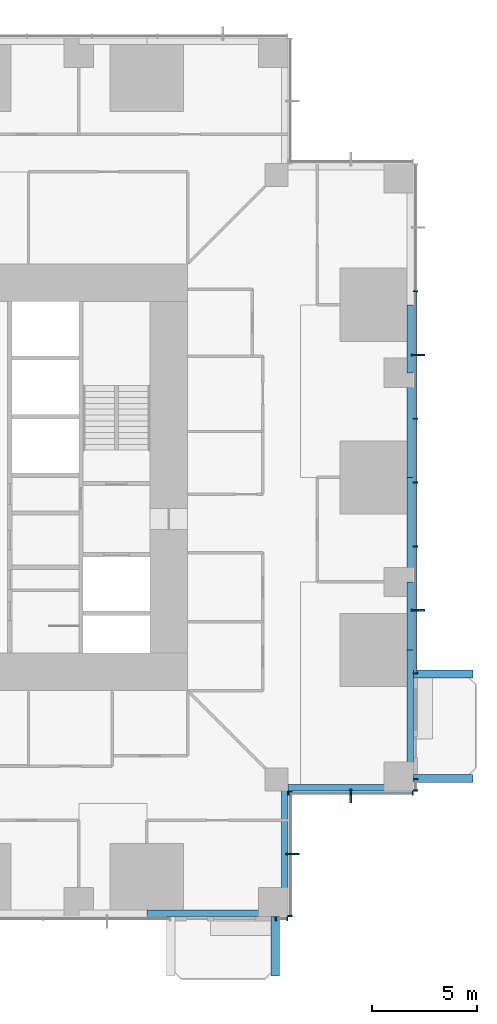
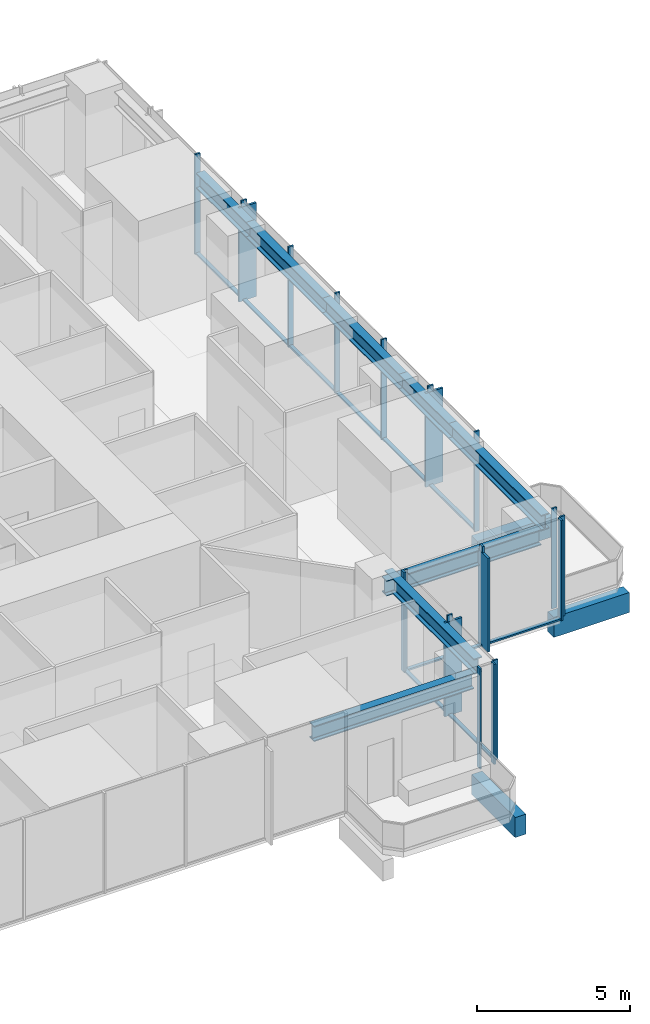
# One storey, part 4 of 16: 31 members, 11 beams, 5 elements without a shape of their own.
"""IFC4 building model written with IfcOpenShell, lengths in metres."""

from ifc_helpers import new_model, si_unit, direction, frame, origin, origin_2d, place, context, subcontext, project, spatial, rectangle, i_section, extrude, material, material_profile, profile_set, type_object, element, aggregate, save


model = new_model("IFC4")

# Units and contexts
model_context = context("Model", 3, precision=1e-05, world=origin(), true_north=direction((0.0, 1.0)))
body_context = subcontext(model_context, "Body", "Model", "MODEL_VIEW")
ifc_project = project(units=[si_unit("LENGTHUNIT", "METRE"), si_unit("AREAUNIT", "SQUARE_METRE"), si_unit("VOLUMEUNIT", "CUBIC_METRE"), si_unit("PLANEANGLEUNIT", "RADIAN"), si_unit("MASSUNIT", "GRAM", prefix="KILO")], contexts=[model_context])

# Site, building, storey
site_placement = place(None, origin())
site = spatial("IfcSite", under=ifc_project, at=site_placement, CompositionType="ELEMENT")
building_placement = place(site_placement, origin())
building = spatial("IfcBuilding", under=site, at=building_placement, Name="Svetlomir Tower", CompositionType="ELEMENT")
storey_placement = place(building_placement, frame((0.0, 0.0, 58.5)))
storey = spatial("IfcBuildingStorey", under=building, at=storey_placement, Name="L13", CompositionType="ELEMENT", Elevation=58.5)

# Beams
ifc_material_1 = material(Name="Concrete C60/75", Category="concrete")
ifc_material_profile_1 = material_profile(ifc_material_1, rectangle(XDim=0.39990234375, YDim=0.800048828125, at=origin_2d()), Name="RC 400x800")
ifc_profile_set_1 = profile_set([ifc_material_profile_1], Name="Concrete C60/75")
beam_type_1 = type_object("IfcBeamType", Name="BALCONY RIB RC 400x800", PredefinedType="BEAM", material=ifc_profile_set_1)
for number, where, z_axis, x_axis, name in (
    (1, (35.39990234375, 0.0, -0.64990234375), (0.0, -1.0, 0.0), (1.0, 0.0, 0.0), "Balcony rib S 2 L13"),
    (2, (42.0, 6.60009765625, -0.64990234375), (1.0, 0.0, 0.0), (0.0, 1.0, 0.0), "Balcony rib E 1 L13"),
    (3, (42.0, 11.60009765625, -0.64990234375), (1.0, 0.0, 0.0), (0.0, 1.0, 0.0), "Balcony rib E 2 L13"),
):
    element("IfcBeam", number, at=place(storey_placement, frame(where, z_axis=z_axis, x_axis=x_axis)), inside=storey, type_object=beam_type_1, Name=name, PredefinedType="BEAM", context=body_context, shape_type="SweptSolid", body=[
        extrude(rectangle(XDim=0.39990234375, YDim=0.800048828125, at=origin_2d()), origin(), (0.0, 0.0, 1.0), 2.85009765625),
    ])

# Curtain wall, member
ifc_material_2 = material(Name="Bronze anodised aluminium curtain wall", Category="aluminium")
curtain_wall_type = type_object("IfcCurtainWallType", Name="CURTAIN WALL CW1 TOWER OFFICE", PredefinedType="NOTDEFINED", material=ifc_material_2)
curtain_wall_1_placement = place(storey_placement, origin())
curtain_wall_1 = element("IfcCurtainWall", 4, at=curtain_wall_1_placement, inside=storey, type_object=curtain_wall_type, Name="Curtain wall CW1 L13", PredefinedType="NOTDEFINED")
ifc_material_3 = material(Name="Bronze anodised aluminium", Category="aluminium")
ifc_material_profile_2 = material_profile(ifc_material_3, rectangle(XDim=0.080078125, YDim=0.64990234375, at=origin_2d()), Name="FIN 80x650")
ifc_profile_set_2 = profile_set([ifc_material_profile_2], Name="Bronze anodised aluminium 6063-T6")
member_type_1 = type_object("IfcMemberType", Name="BRONZE FIN 80x650", PredefinedType="USERDEFINED", material=ifc_profile_set_2)
member_1_placement = place(storey_placement, frame((36.22509765625, 3.0, 0.0), z_axis=(0.0, 0.0, 1.0), x_axis=(0.0, 1.0, 0.0)))
member_1 = element("IfcMember", 5, at=member_1_placement, type_object=member_type_1, Name="Bronze fin L13", ObjectType="FIN", PredefinedType="USERDEFINED", context=body_context, shape_type="SweptSolid", body=[
    extrude(rectangle(XDim=0.080078125, YDim=0.64990234375, at=origin_2d()), origin(), (0.0, 0.0, 1.0), 3.75),
])

curtain_wall_2_placement = place(storey_placement, origin())
curtain_wall_2 = element("IfcCurtainWall", 6, at=curtain_wall_2_placement, inside=storey, type_object=curtain_wall_type, Name="Curtain wall CW1 L13", PredefinedType="NOTDEFINED")
member_2_placement = place(storey_placement, frame((39.0, 5.77490234375, 0.0), z_axis=(0.0, 0.0, 1.0), x_axis=(1.0, 0.0, 0.0)))
member_2 = element("IfcMember", 7, at=member_2_placement, type_object=member_type_1, Name="Bronze fin L13", ObjectType="FIN", PredefinedType="USERDEFINED", context=body_context, shape_type="SweptSolid", body=[
    extrude(rectangle(XDim=0.080078125, YDim=0.64990234375, at=origin_2d()), origin(), (0.0, 0.0, 1.0), 3.75),
])

# Curtain wall, members
curtain_wall_3_placement = place(storey_placement, origin())
curtain_wall_3 = element("IfcCurtainWall", 8, at=curtain_wall_3_placement, inside=storey, type_object=curtain_wall_type, Name="Curtain wall CW1 L13", PredefinedType="NOTDEFINED")
member_3_placement = place(storey_placement, frame((42.22509765625, 14.64990234375, 0.0), z_axis=(0.0, 0.0, 1.0), x_axis=(0.0, 1.0, 0.0)))
member_3 = element("IfcMember", 9, at=member_3_placement, type_object=member_type_1, Name="Bronze fin L13", ObjectType="FIN", PredefinedType="USERDEFINED", context=body_context, shape_type="SweptSolid", body=[
    extrude(rectangle(XDim=0.080078125, YDim=0.64990234375, at=origin_2d()), origin(), (0.0, 0.0, 1.0), 3.75),
])
member_4_placement = place(storey_placement, frame((42.22509765625, 26.85009765625, 0.0), z_axis=(0.0, 0.0, 1.0), x_axis=(0.0, 1.0, 0.0)))
member_4 = element("IfcMember", 10, at=member_4_placement, type_object=member_type_1, Name="Bronze fin L13", ObjectType="FIN", PredefinedType="USERDEFINED", context=body_context, shape_type="SweptSolid", body=[
    extrude(rectangle(XDim=0.080078125, YDim=0.64990234375, at=origin_2d()), origin(), (0.0, 0.0, 1.0), 3.75),
])

curtain_wall_4_placement = place(storey_placement, origin())
curtain_wall_4 = element("IfcCurtainWall", 11, at=curtain_wall_4_placement, inside=storey, type_object=curtain_wall_type, Name="Curtain wall CW1 L13", PredefinedType="NOTDEFINED")
ifc_material_4 = material(Name="Bronze anodised aluminium", Category="aluminium")
ifc_material_profile_3 = material_profile(ifc_material_4, rectangle(XDim=0.06494140625, YDim=0.199951171875, at=origin_2d()), Name="AL 65x200")
ifc_profile_set_3 = profile_set([ifc_material_profile_3], Name="Bronze anodised aluminium 6063-T6")
member_type_2 = type_object("IfcMemberType", Name="CW1 MULLION 65x200", PredefinedType="MULLION", material=ifc_profile_set_3)
member_5_placement = place(storey_placement, frame((35.4326171875, -0.10009765625, 0.0), z_axis=(0.0, 0.0, 1.0), x_axis=(1.0, 0.0, 0.0)))
member_5 = element("IfcMember", 12, at=member_5_placement, type_object=member_type_2, Name="CW1 mullion 1", PredefinedType="MULLION", context=body_context, shape_type="SweptSolid", body=[
    extrude(rectangle(XDim=0.06494140625, YDim=0.199951171875, at=origin_2d()), origin(), (0.0, 0.0, 1.0), 4.0),
])
member_6_placement = place(storey_placement, frame((35.967529296875, -0.10009765625, 0.0), z_axis=(0.0, 0.0, 1.0), x_axis=(1.0, 0.0, 0.0)))
member_6 = element("IfcMember", 13, at=member_6_placement, type_object=member_type_2, Name="CW1 mullion 2", PredefinedType="MULLION", context=body_context, shape_type="SweptSolid", body=[
    extrude(rectangle(XDim=0.06494140625, YDim=0.199951171875, at=origin_2d()), origin(), (0.0, 0.0, 1.0), 4.0),
])
aggregate(curtain_wall_4, [member_5, member_6])

# Member
member_7_placement = place(storey_placement, frame((36.10009765625, 0.032470703125, 0.0), z_axis=(0.0, 0.0, 1.0), x_axis=(0.0, 1.0, 0.0)))
member_7 = element("IfcMember", 14, at=member_7_placement, type_object=member_type_2, Name="CW1 mullion 1", PredefinedType="MULLION", context=body_context, shape_type="SweptSolid", body=[
    extrude(rectangle(XDim=0.06494140625, YDim=0.199951171875, at=origin_2d()), origin(), (0.0, 0.0, 1.0), 4.0),
])

member_8_placement = place(storey_placement, frame((36.10009765625, 3.0, 0.0), z_axis=(0.0, 0.0, 1.0), x_axis=(0.0, 1.0, 0.0)))
member_8 = element("IfcMember", 15, at=member_8_placement, type_object=member_type_2, Name="CW1 mullion 2", PredefinedType="MULLION", context=body_context, shape_type="SweptSolid", body=[
    extrude(rectangle(XDim=0.06494140625, YDim=0.199951171875, at=origin_2d()), origin(), (0.0, 0.0, 1.0), 4.0),
])

member_9_placement = place(storey_placement, frame((36.10009765625, 5.967529296875, 0.0), z_axis=(0.0, 0.0, 1.0), x_axis=(0.0, 1.0, 0.0)))
member_9 = element("IfcMember", 16, at=member_9_placement, type_object=member_type_2, Name="CW1 mullion 3", PredefinedType="MULLION", context=body_context, shape_type="SweptSolid", body=[
    extrude(rectangle(XDim=0.06494140625, YDim=0.199951171875, at=origin_2d()), origin(), (0.0, 0.0, 1.0), 4.0),
])

member_10_placement = place(storey_placement, frame((36.032470703125, 5.89990234375, 0.0), z_axis=(0.0, 0.0, 1.0), x_axis=(1.0, 0.0, 0.0)))
member_10 = element("IfcMember", 17, at=member_10_placement, type_object=member_type_2, Name="CW1 mullion 1", PredefinedType="MULLION", context=body_context, shape_type="SweptSolid", body=[
    extrude(rectangle(XDim=0.06494140625, YDim=0.199951171875, at=origin_2d()), origin(), (0.0, 0.0, 1.0), 4.0),
])

member_11_placement = place(storey_placement, frame((39.0, 5.89990234375, 0.0), z_axis=(0.0, 0.0, 1.0), x_axis=(1.0, 0.0, 0.0)))
member_11 = element("IfcMember", 18, at=member_11_placement, type_object=member_type_2, Name="CW1 mullion 2", PredefinedType="MULLION", context=body_context, shape_type="SweptSolid", body=[
    extrude(rectangle(XDim=0.06494140625, YDim=0.199951171875, at=origin_2d()), origin(), (0.0, 0.0, 1.0), 4.0),
])

member_12_placement = place(storey_placement, frame((41.967529296875, 5.89990234375, 0.0), z_axis=(0.0, 0.0, 1.0), x_axis=(1.0, 0.0, 0.0)))
member_12 = element("IfcMember", 19, at=member_12_placement, type_object=member_type_2, Name="CW1 mullion 3", PredefinedType="MULLION", context=body_context, shape_type="SweptSolid", body=[
    extrude(rectangle(XDim=0.06494140625, YDim=0.199951171875, at=origin_2d()), origin(), (0.0, 0.0, 1.0), 4.0),
])

# Curtain wall, members
curtain_wall_5_placement = place(storey_placement, origin())
curtain_wall_5 = element("IfcCurtainWall", 20, at=curtain_wall_5_placement, inside=storey, type_object=curtain_wall_type, Name="Curtain wall CW1 L13", PredefinedType="NOTDEFINED")
member_13_placement = place(storey_placement, frame((42.10009765625, 6.032470703125, 0.0), z_axis=(0.0, 0.0, 1.0), x_axis=(0.0, 1.0, 0.0)))
member_13 = element("IfcMember", 21, at=member_13_placement, type_object=member_type_2, Name="CW1 mullion 1", PredefinedType="MULLION", context=body_context, shape_type="SweptSolid", body=[
    extrude(rectangle(XDim=0.06494140625, YDim=0.199951171875, at=origin_2d()), origin(), (0.0, 0.0, 1.0), 4.0),
])
member_14_placement = place(storey_placement, frame((42.10009765625, 6.5673828125, 0.0), z_axis=(0.0, 0.0, 1.0), x_axis=(0.0, 1.0, 0.0)))
member_14 = element("IfcMember", 22, at=member_14_placement, type_object=member_type_2, Name="CW1 mullion 2", PredefinedType="MULLION", context=body_context, shape_type="SweptSolid", body=[
    extrude(rectangle(XDim=0.06494140625, YDim=0.199951171875, at=origin_2d()), origin(), (0.0, 0.0, 1.0), 4.0),
])
aggregate(curtain_wall_5, [member_13, member_14])

# Member
member_15_placement = place(storey_placement, frame((42.10009765625, 11.632568359375, 0.0), z_axis=(0.0, 0.0, 1.0), x_axis=(0.0, 1.0, 0.0)))
member_15 = element("IfcMember", 23, at=member_15_placement, type_object=member_type_2, Name="CW1 mullion 1", PredefinedType="MULLION", context=body_context, shape_type="SweptSolid", body=[
    extrude(rectangle(XDim=0.06494140625, YDim=0.199951171875, at=origin_2d()), origin(), (0.0, 0.0, 1.0), 4.0),
])

member_16_placement = place(storey_placement, frame((42.10009765625, 14.64990234375, 0.0), z_axis=(0.0, 0.0, 1.0), x_axis=(0.0, 1.0, 0.0)))
member_16 = element("IfcMember", 24, at=member_16_placement, type_object=member_type_2, Name="CW1 mullion 2", PredefinedType="MULLION", context=body_context, shape_type="SweptSolid", body=[
    extrude(rectangle(XDim=0.06494140625, YDim=0.199951171875, at=origin_2d()), origin(), (0.0, 0.0, 1.0), 4.0),
])

member_17_placement = place(storey_placement, frame((42.10009765625, 17.699951171875, 0.0), z_axis=(0.0, 0.0, 1.0), x_axis=(0.0, 1.0, 0.0)))
member_17 = element("IfcMember", 25, at=member_17_placement, type_object=member_type_2, Name="CW1 mullion 3", PredefinedType="MULLION", context=body_context, shape_type="SweptSolid", body=[
    extrude(rectangle(XDim=0.06494140625, YDim=0.199951171875, at=origin_2d()), origin(), (0.0, 0.0, 1.0), 4.0),
])

member_18_placement = place(storey_placement, frame((42.10009765625, 20.75, 0.0), z_axis=(0.0, 0.0, 1.0), x_axis=(0.0, 1.0, 0.0)))
member_18 = element("IfcMember", 26, at=member_18_placement, type_object=member_type_2, Name="CW1 mullion 4", PredefinedType="MULLION", context=body_context, shape_type="SweptSolid", body=[
    extrude(rectangle(XDim=0.06494140625, YDim=0.199951171875, at=origin_2d()), origin(), (0.0, 0.0, 1.0), 4.0),
])

member_19_placement = place(storey_placement, frame((42.10009765625, 23.800048828125, 0.0), z_axis=(0.0, 0.0, 1.0), x_axis=(0.0, 1.0, 0.0)))
member_19 = element("IfcMember", 27, at=member_19_placement, type_object=member_type_2, Name="CW1 mullion 5", PredefinedType="MULLION", context=body_context, shape_type="SweptSolid", body=[
    extrude(rectangle(XDim=0.06494140625, YDim=0.199951171875, at=origin_2d()), origin(), (0.0, 0.0, 1.0), 4.0),
])

member_20_placement = place(storey_placement, frame((42.10009765625, 26.85009765625, 0.0), z_axis=(0.0, 0.0, 1.0), x_axis=(0.0, 1.0, 0.0)))
member_20 = element("IfcMember", 28, at=member_20_placement, type_object=member_type_2, Name="CW1 mullion 6", PredefinedType="MULLION", context=body_context, shape_type="SweptSolid", body=[
    extrude(rectangle(XDim=0.06494140625, YDim=0.199951171875, at=origin_2d()), origin(), (0.0, 0.0, 1.0), 4.0),
])

member_21_placement = place(storey_placement, frame((42.10009765625, 29.89990234375, 0.0), z_axis=(0.0, 0.0, 1.0), x_axis=(0.0, 1.0, 0.0)))
member_21 = element("IfcMember", 29, at=member_21_placement, type_object=member_type_2, Name="CW1 mullion 7", PredefinedType="MULLION", context=body_context, shape_type="SweptSolid", body=[
    extrude(rectangle(XDim=0.06494140625, YDim=0.199951171875, at=origin_2d()), origin(), (0.0, 0.0, 1.0), 4.0),
])

ifc_material_5 = material(Name="Bronze anodised aluminium", Category="aluminium")
ifc_material_profile_4 = material_profile(ifc_material_5, rectangle(XDim=0.139892578125, YDim=0.06494140625, at=origin_2d()), Name="AL 140x65")
ifc_profile_set_4 = profile_set([ifc_material_profile_4], Name="Bronze anodised aluminium 6063-T6")
member_type_3 = type_object("IfcMemberType", Name="CW1 TRANSOM 65x140", PredefinedType="USERDEFINED", material=ifc_profile_set_4)
member_22_placement = place(storey_placement, frame((36.10009765625, 0.06494140625, 0.032470703125), z_axis=(0.0, 1.0, 0.0), x_axis=(-1.0, 0.0, 0.0)))
member_22 = element("IfcMember", 30, at=member_22_placement, type_object=member_type_3, Name="CW1 transom 1.1", ObjectType="TRANSOM", PredefinedType="USERDEFINED", context=body_context, shape_type="SweptSolid", body=[
    extrude(rectangle(XDim=0.139892578125, YDim=0.06494140625, at=origin_2d()), origin(), (0.0, 0.0, 1.0), 2.902587890625),
])

member_23_placement = place(storey_placement, frame((36.10009765625, 3.032470703125, 0.032470703125), z_axis=(0.0, 1.0, 0.0), x_axis=(-1.0, 0.0, 0.0)))
member_23 = element("IfcMember", 31, at=member_23_placement, type_object=member_type_3, Name="CW1 transom 2.1", ObjectType="TRANSOM", PredefinedType="USERDEFINED", context=body_context, shape_type="SweptSolid", body=[
    extrude(rectangle(XDim=0.139892578125, YDim=0.06494140625, at=origin_2d()), origin(), (0.0, 0.0, 1.0), 2.902587890625),
])

aggregate(curtain_wall_1, [member_7, member_8, member_9, member_22, member_23, member_1])

member_24_placement = place(storey_placement, frame((36.06494140625, 5.89990234375, 0.032470703125), z_axis=(1.0, 0.0, 0.0), x_axis=(0.0, 1.0, 0.0)))
member_24 = element("IfcMember", 32, at=member_24_placement, type_object=member_type_3, Name="CW1 transom 1.1", ObjectType="TRANSOM", PredefinedType="USERDEFINED", context=body_context, shape_type="SweptSolid", body=[
    extrude(rectangle(XDim=0.139892578125, YDim=0.06494140625, at=origin_2d()), origin(), (0.0, 0.0, 1.0), 2.902587890625),
])

member_25_placement = place(storey_placement, frame((39.032470703125, 5.89990234375, 0.032470703125), z_axis=(1.0, 0.0, 0.0), x_axis=(0.0, 1.0, 0.0)))
member_25 = element("IfcMember", 33, at=member_25_placement, type_object=member_type_3, Name="CW1 transom 2.1", ObjectType="TRANSOM", PredefinedType="USERDEFINED", context=body_context, shape_type="SweptSolid", body=[
    extrude(rectangle(XDim=0.139892578125, YDim=0.06494140625, at=origin_2d()), origin(), (0.0, 0.0, 1.0), 2.902587890625),
])

aggregate(curtain_wall_2, [member_10, member_11, member_12, member_24, member_25, member_2])

member_26_placement = place(storey_placement, frame((42.10009765625, 11.6650390625, 0.032470703125), z_axis=(0.0, 1.0, 0.0), x_axis=(-1.0, 0.0, 0.0)))
member_26 = element("IfcMember", 34, at=member_26_placement, type_object=member_type_3, Name="CW1 transom 1.1", ObjectType="TRANSOM", PredefinedType="USERDEFINED", context=body_context, shape_type="SweptSolid", body=[
    extrude(rectangle(XDim=0.139892578125, YDim=0.06494140625, at=origin_2d()), origin(), (0.0, 0.0, 1.0), 2.952392578125),
])

member_27_placement = place(storey_placement, frame((42.10009765625, 14.6826171875, 0.032470703125), z_axis=(0.0, 1.0, 0.0), x_axis=(-1.0, 0.0, 0.0)))
member_27 = element("IfcMember", 35, at=member_27_placement, type_object=member_type_3, Name="CW1 transom 2.1", ObjectType="TRANSOM", PredefinedType="USERDEFINED", context=body_context, shape_type="SweptSolid", body=[
    extrude(rectangle(XDim=0.139892578125, YDim=0.06494140625, at=origin_2d()), origin(), (0.0, 0.0, 1.0), 2.98486328125),
])

member_28_placement = place(storey_placement, frame((42.10009765625, 17.732421875, 0.032470703125), z_axis=(0.0, 1.0, 0.0), x_axis=(-1.0, 0.0, 0.0)))
member_28 = element("IfcMember", 36, at=member_28_placement, type_object=member_type_3, Name="CW1 transom 3.1", ObjectType="TRANSOM", PredefinedType="USERDEFINED", context=body_context, shape_type="SweptSolid", body=[
    extrude(rectangle(XDim=0.139892578125, YDim=0.06494140625, at=origin_2d()), origin(), (0.0, 0.0, 1.0), 2.985107421875),
])

member_29_placement = place(storey_placement, frame((42.10009765625, 20.782470703125, 0.032470703125), z_axis=(0.0, 1.0, 0.0), x_axis=(-1.0, 0.0, 0.0)))
member_29 = element("IfcMember", 37, at=member_29_placement, type_object=member_type_3, Name="CW1 transom 4.1", ObjectType="TRANSOM", PredefinedType="USERDEFINED", context=body_context, shape_type="SweptSolid", body=[
    extrude(rectangle(XDim=0.139892578125, YDim=0.06494140625, at=origin_2d()), origin(), (0.0, 0.0, 1.0), 2.985107421875),
])

member_30_placement = place(storey_placement, frame((42.10009765625, 23.83251953125, 0.032470703125), z_axis=(0.0, 1.0, 0.0), x_axis=(-1.0, 0.0, 0.0)))
member_30 = element("IfcMember", 38, at=member_30_placement, type_object=member_type_3, Name="CW1 transom 5.1", ObjectType="TRANSOM", PredefinedType="USERDEFINED", context=body_context, shape_type="SweptSolid", body=[
    extrude(rectangle(XDim=0.139892578125, YDim=0.06494140625, at=origin_2d()), origin(), (0.0, 0.0, 1.0), 2.98486328125),
])

member_31_placement = place(storey_placement, frame((42.10009765625, 26.882568359375, 0.032470703125), z_axis=(0.0, 1.0, 0.0), x_axis=(-1.0, 0.0, 0.0)))
member_31 = element("IfcMember", 39, at=member_31_placement, type_object=member_type_3, Name="CW1 transom 6.1", ObjectType="TRANSOM", PredefinedType="USERDEFINED", context=body_context, shape_type="SweptSolid", body=[
    extrude(rectangle(XDim=0.139892578125, YDim=0.06494140625, at=origin_2d()), origin(), (0.0, 0.0, 1.0), 2.98486328125),
])

aggregate(curtain_wall_3, [member_15, member_16, member_17, member_18, member_19, member_20, member_21, member_26, member_27, member_28, member_29, member_30, member_31, member_3, member_4])

# Beams
ifc_material_6 = material(Name="Steel S355", Category="steel")
ifc_material_profile_5 = material_profile(ifc_material_6, i_section(OverallWidth=0.304931640625, OverallDepth=0.6201171875, WebThickness=0.02099609375, FlangeThickness=0.0400390625, FilletRadius=0.027099609375, at=origin_2d()), Name="HEM 600")
ifc_profile_set_5 = profile_set([ifc_material_profile_5], Name="Steel S355")
beam_type_2 = type_object("IfcBeamType", Name="EDGE BEAM HEM 600", PredefinedType="SPANDREL", material=ifc_profile_set_5)
beam_1_placement = place(storey_placement, frame((41.847412109375, 6.699951171875, 3.43994140625), z_axis=(0.0, 1.0, 0.0), x_axis=(-1.0, 0.0, 0.0)))
element("IfcBeam", 40, at=beam_1_placement, inside=storey, type_object=beam_type_2, Name="Edge beam 42/6 to 42/11 under L14", PredefinedType="SPANDREL", context=body_context, shape_type="SweptSolid", body=[
    extrude(i_section(OverallWidth=0.304931640625, OverallDepth=0.6201171875, WebThickness=0.02099609375, FlangeThickness=0.0400390625, FilletRadius=0.027099609375, at=origin_2d()), origin(), (0.0, 0.0, 1.0), 6.050048828125),
])
beam_2_placement = place(storey_placement, frame((41.847412109375, 12.75, 3.43994140625), z_axis=(0.0, 1.0, 0.0), x_axis=(-1.0, 0.0, 0.0)))
element("IfcBeam", 41, at=beam_2_placement, inside=storey, type_object=beam_type_2, Name="Edge beam 42/11 to 42/16 under L14", PredefinedType="SPANDREL", context=body_context, shape_type="SweptSolid", body=[
    extrude(i_section(OverallWidth=0.304931640625, OverallDepth=0.6201171875, WebThickness=0.02099609375, FlangeThickness=0.0400390625, FilletRadius=0.027099609375, at=origin_2d()), origin(), (0.0, 0.0, 1.0), 3.25),
])
for number, where, z_axis, x_axis, name in (
    (42, (41.847412109375, 16.0, 3.43994140625), (0.0, 1.0, 0.0), (-1.0, 0.0, 0.0), "Edge beam 42/16 to 42/21 under L14"),
    (43, (41.847412109375, 21.0, 3.43994140625), (0.0, 1.0, 0.0), (-1.0, 0.0, 0.0), "Edge beam 42/21 to 42/26 under L14"),
):
    element("IfcBeam", number, at=place(storey_placement, frame(where, z_axis=z_axis, x_axis=x_axis)), inside=storey, type_object=beam_type_2, Name=name, PredefinedType="SPANDREL", context=body_context, shape_type="SweptSolid", body=[
        extrude(i_section(OverallWidth=0.304931640625, OverallDepth=0.6201171875, WebThickness=0.02099609375, FlangeThickness=0.0400390625, FilletRadius=0.027099609375, at=origin_2d()), origin(), (0.0, 0.0, 1.0), 5.0),
    ])
beam_3_placement = place(storey_placement, frame((41.847412109375, 26.0, 3.43994140625), z_axis=(0.0, 1.0, 0.0), x_axis=(-1.0, 0.0, 0.0)))
element("IfcBeam", 44, at=beam_3_placement, inside=storey, type_object=beam_type_2, Name="Edge beam 42/26 to 42/31 under L14", PredefinedType="SPANDREL", context=body_context, shape_type="SweptSolid", body=[
    extrude(i_section(OverallWidth=0.304931640625, OverallDepth=0.6201171875, WebThickness=0.02099609375, FlangeThickness=0.0400390625, FilletRadius=0.027099609375, at=origin_2d()), origin(), (0.0, 0.0, 1.0), 3.25),
])
beam_4_placement = place(storey_placement, frame((29.25, 0.152587890625, 3.43994140625), z_axis=(1.0, 0.0, 0.0), x_axis=(0.0, 1.0, 0.0)))
element("IfcBeam", 45, at=beam_4_placement, inside=storey, type_object=beam_type_2, Name="Edge beam 31/0 to 36/0 under L14", PredefinedType="SPANDREL", context=body_context, shape_type="SweptSolid", body=[
    extrude(i_section(OverallWidth=0.304931640625, OverallDepth=0.6201171875, WebThickness=0.02099609375, FlangeThickness=0.0400390625, FilletRadius=0.027099609375, at=origin_2d()), origin(), (0.0, 0.0, 1.0), 6.050048828125),
])
for number, where, z_axis, x_axis, name in (
    (46, (35.847412109375, 0.699951171875, 3.43994140625), (0.0, 1.0, 0.0), (-1.0, 0.0, 0.0), "Edge beam 36/0 to 36/6 under L14"),
    (47, (41.300048828125, 6.152587890625, 3.43994140625), (-1.0, 0.0, 0.0), (0.0, -1.0, 0.0), "Edge beam 42/6 to 36/6 under L14"),
):
    element("IfcBeam", number, at=place(storey_placement, frame(where, z_axis=z_axis, x_axis=x_axis)), inside=storey, type_object=beam_type_2, Name=name, PredefinedType="SPANDREL", context=body_context, shape_type="SweptSolid", body=[
        extrude(i_section(OverallWidth=0.304931640625, OverallDepth=0.6201171875, WebThickness=0.02099609375, FlangeThickness=0.0400390625, FilletRadius=0.027099609375, at=origin_2d()), origin(), (0.0, 0.0, 1.0), 5.85009765625),
    ])

save(model, "model.ifc")
